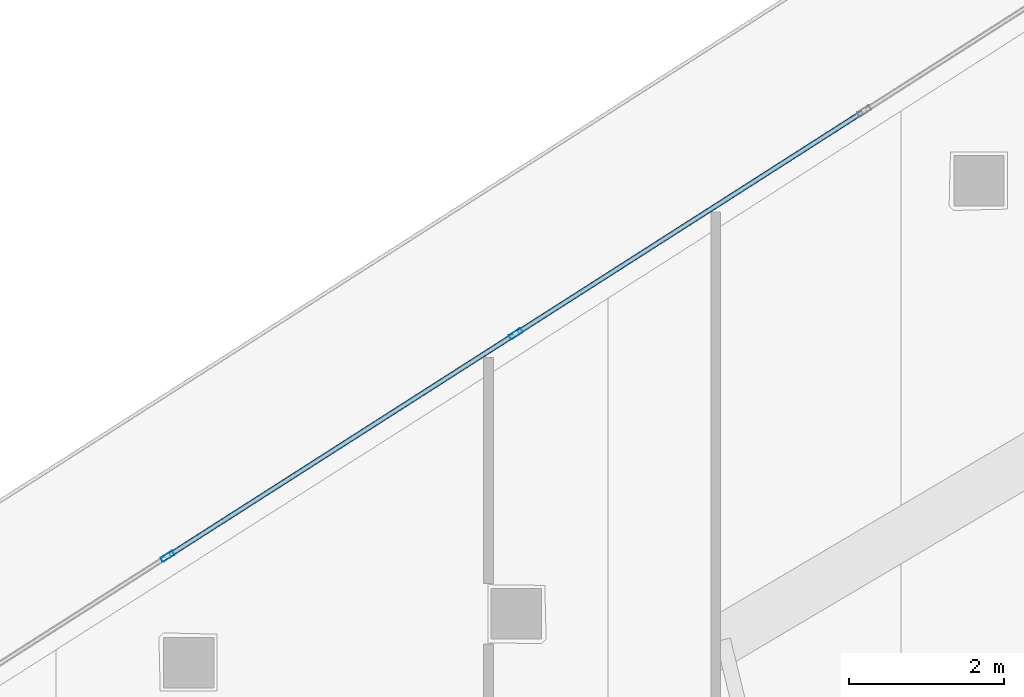
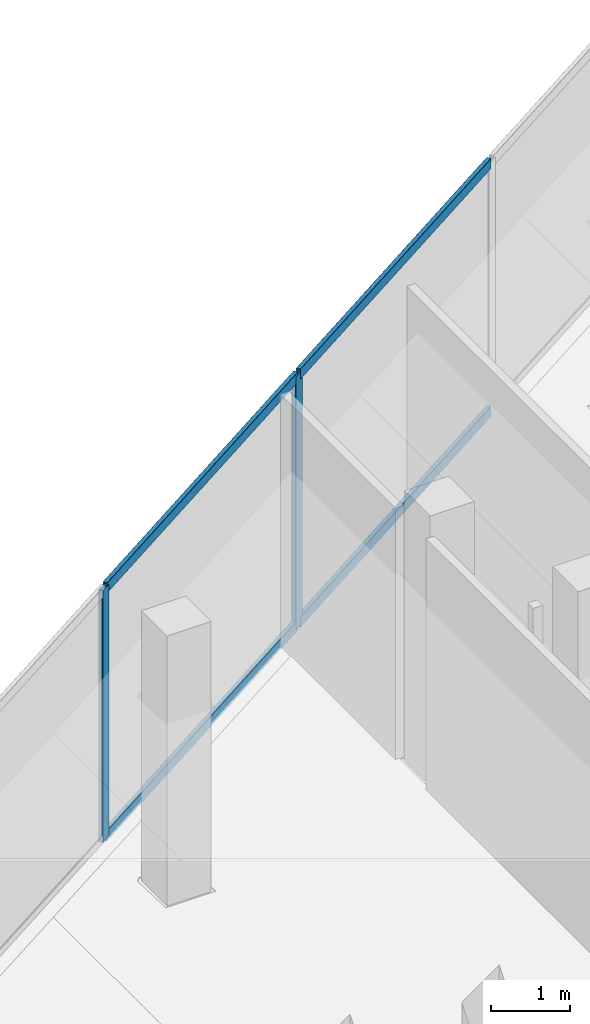
# One storey, part 17 of 44: 6 members, 1 element without a shape of its own.
"""IFC4 building model written with IfcOpenShell, lengths in metres."""

from ifc_helpers import new_model, si_unit, direction, frame, origin, origin_2d, place, context, subcontext, project, spatial, hollow_rectangle, extrude, material, layer, layer_set, material_profile, profile_set, type_object, element, aggregate, save


model = new_model("IFC4")

# Units and contexts
model_context = context("Model", 3, precision=1e-05, world=origin(), true_north=direction((0.0, 1.0)))
body_context = subcontext(model_context, "Body", "Model", "MODEL_VIEW")
ifc_project = project(units=[si_unit("LENGTHUNIT", "METRE"), si_unit("AREAUNIT", "SQUARE_METRE"), si_unit("VOLUMEUNIT", "CUBIC_METRE"), si_unit("PLANEANGLEUNIT", "RADIAN"), si_unit("MASSUNIT", "GRAM", prefix="KILO")], contexts=[model_context])

# Site, building, storey
site_placement = place(None, origin())
site = spatial("IfcSite", under=ifc_project, at=site_placement, CompositionType="ELEMENT")
building_placement = place(site_placement, origin())
building = spatial("IfcBuilding", under=site, at=building_placement, Name="Qorvath Tower", CompositionType="ELEMENT")
storey_placement = place(building_placement, frame((0.0, 0.0, 53.39990234375)))
storey = spatial("IfcBuildingStorey", under=building, at=storey_placement, Name="L11", CompositionType="ELEMENT", Elevation=53.39990234375)

# Curtain wall, members
ifc_material_1 = material(Name="Anodised aluminium and triple low-E glass", Category="aluminium")
ifc_layer = layer(ifc_material_1, 0.179931640625)
ifc_layer_set = layer_set([ifc_layer], Name="CW-SYS-2")
curtain_wall_type = type_object("IfcCurtainWallType", Name="CW-SYS-2", PredefinedType="NOTDEFINED", material=ifc_layer_set)
curtain_wall_placement = place(storey_placement, origin())
curtain_wall = element("IfcCurtainWall", 1, at=curtain_wall_placement, inside=storey, type_object=curtain_wall_type, Name="Curtain Wall CW-2 CW-T-L11-16.2", PredefinedType="NOTDEFINED")
ifc_material_2 = material(Name="Anodised aluminium 6063-T6", Category="aluminium")
ifc_material_profile_1 = material_profile(ifc_material_2, hollow_rectangle(XDim=0.06494140625, YDim=0.179931640625, WallThickness=0.00341796875, InnerFilletRadius=0.00341796875, OuterFilletRadius=0.007080078125, at=origin_2d()), Name="CWM 180x65")
ifc_profile_set_1 = profile_set([ifc_material_profile_1], Name="Anodised aluminium 6063-T6")
member_type_1 = type_object("IfcMemberType", Name="CWM-180", PredefinedType="MULLION", material=ifc_profile_set_1)
member_1_placement = place(storey_placement, frame((-31.0224609375, 23.080810546875, 0.0), z_axis=(0.0, 0.0, 1.0), x_axis=(0.538541095387, -0.842599245537, 0.0)))
member_1 = element("IfcMember", 2, at=member_1_placement, type_object=member_type_1, Name="CW-2 mullion 3", PredefinedType="MULLION", context=body_context, shape_type="SweptSolid", body=[
    extrude(hollow_rectangle(XDim=0.06494140625, YDim=0.179931640625, WallThickness=0.00341796875, InnerFilletRadius=0.00341796875, OuterFilletRadius=0.007080078125, at=origin_2d()), origin(), (0.0, 0.0, 1.0), 3.920166015625),
])
member_2_placement = place(storey_placement, frame((-35.5244140625, 20.203125, 0.0), z_axis=(0.0, 0.0, 1.0), x_axis=(0.538541095387, -0.842599245537, 0.0)))
member_2 = element("IfcMember", 3, at=member_2_placement, type_object=member_type_1, Name="CW-2 mullion 4", PredefinedType="MULLION", context=body_context, shape_type="SweptSolid", body=[
    extrude(hollow_rectangle(XDim=0.06494140625, YDim=0.179931640625, WallThickness=0.00341796875, InnerFilletRadius=0.00341796875, OuterFilletRadius=0.007080078125, at=origin_2d()), origin(), (0.0, 0.0, 1.0), 3.920166015625),
])
ifc_material_3 = material(Name="Anodised aluminium 6063-T6", Category="aluminium")
ifc_material_profile_2 = material_profile(ifc_material_3, hollow_rectangle(XDim=0.06494140625, YDim=0.159912109375, WallThickness=0.00341796875, InnerFilletRadius=0.00341796875, OuterFilletRadius=0.007080078125, at=origin_2d()), Name="CWT 160x65")
ifc_profile_set_2 = profile_set([ifc_material_profile_2], Name="Anodised aluminium 6063-T6")
member_type_2 = type_object("IfcMemberType", Name="CWT-160", PredefinedType="USERDEFINED", material=ifc_profile_set_2)
member_3_placement = place(storey_placement, frame((-26.547607421875, 25.940673828125, 0.032470703125), z_axis=(-0.842591313382, -0.538553505803, 0.0), x_axis=(0.538553505803, -0.842591313382, 0.0)))
member_3 = element("IfcMember", 4, at=member_3_placement, type_object=member_type_2, Name="CW-2 transom 2.1", ObjectType="TRANSOM", PredefinedType="USERDEFINED", context=body_context, shape_type="SweptSolid", body=[
    extrude(hollow_rectangle(XDim=0.06494140625, YDim=0.159912109375, WallThickness=0.00341796875, InnerFilletRadius=0.00341796875, OuterFilletRadius=0.007080078125, at=origin_2d()), origin(), (0.0, 0.0, 1.0), 5.278076171875),
])
member_4_placement = place(storey_placement, frame((-26.547607421875, 25.940673828125, 3.8876953125), z_axis=(-0.842591313382, -0.538553505803, 0.0), x_axis=(0.538553505803, -0.842591313382, 0.0)))
member_4 = element("IfcMember", 5, at=member_4_placement, type_object=member_type_2, Name="CW-2 transom 2.2", ObjectType="TRANSOM", PredefinedType="USERDEFINED", context=body_context, shape_type="SweptSolid", body=[
    extrude(hollow_rectangle(XDim=0.06494140625, YDim=0.159912109375, WallThickness=0.00341796875, InnerFilletRadius=0.00341796875, OuterFilletRadius=0.007080078125, at=origin_2d()), origin(), (0.0, 0.0, 1.0), 5.278076171875),
])
member_5_placement = place(storey_placement, frame((-31.0498046875, 23.063232421875, 0.032470703125), z_axis=(-0.842591313382, -0.538553505803, 0.0), x_axis=(0.538553505803, -0.842591313382, 0.0)))
member_5 = element("IfcMember", 6, at=member_5_placement, type_object=member_type_2, Name="CW-2 transom 3.1", ObjectType="TRANSOM", PredefinedType="USERDEFINED", context=body_context, shape_type="SweptSolid", body=[
    extrude(hollow_rectangle(XDim=0.06494140625, YDim=0.159912109375, WallThickness=0.00341796875, InnerFilletRadius=0.00341796875, OuterFilletRadius=0.007080078125, at=origin_2d()), origin(), (0.0, 0.0, 1.0), 5.278076171875),
])
member_6_placement = place(storey_placement, frame((-31.0498046875, 23.063232421875, 3.8876953125), z_axis=(-0.842591313382, -0.538553505803, 0.0), x_axis=(0.538553505803, -0.842591313382, 0.0)))
member_6 = element("IfcMember", 7, at=member_6_placement, type_object=member_type_2, Name="CW-2 transom 3.2", ObjectType="TRANSOM", PredefinedType="USERDEFINED", context=body_context, shape_type="SweptSolid", body=[
    extrude(hollow_rectangle(XDim=0.06494140625, YDim=0.159912109375, WallThickness=0.00341796875, InnerFilletRadius=0.00341796875, OuterFilletRadius=0.007080078125, at=origin_2d()), origin(), (0.0, 0.0, 1.0), 5.278076171875),
])
aggregate(curtain_wall, [member_1, member_2, member_3, member_4, member_5, member_6])

save(model, "model.ifc")
